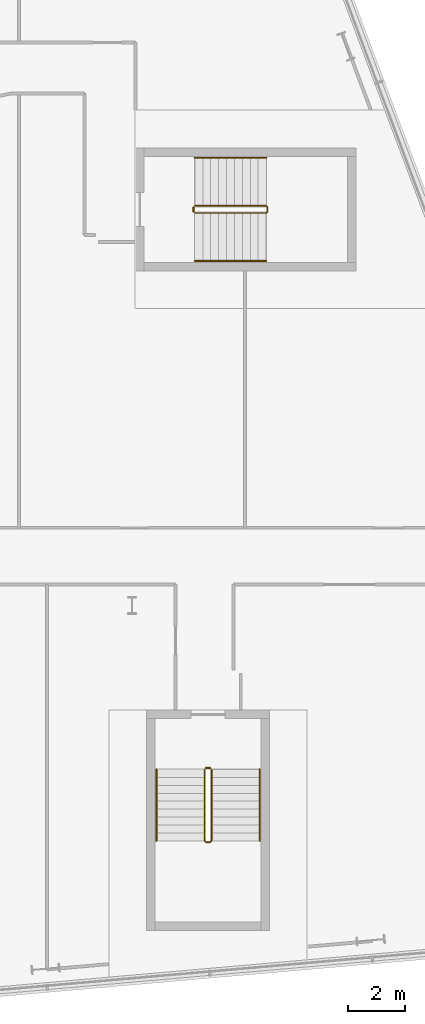
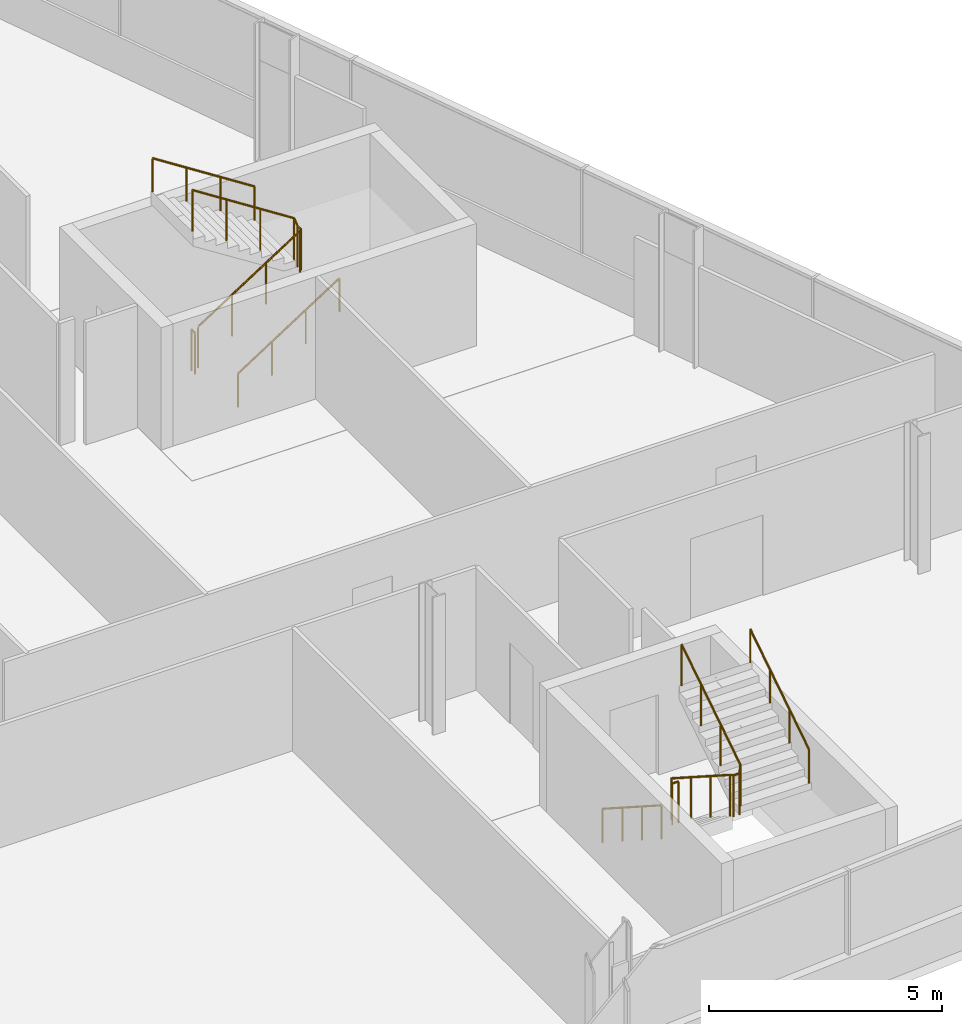
# One storey, part 24 of 24: 8 railings.
"""IFC4 building model written with IfcOpenShell, lengths in metres."""

from ifc_helpers import new_model, si_unit, direction, frame, origin, origin_2d, place, context, subcontext, project, spatial, circle, extrude, material, type_object, element, save


model = new_model("IFC4")

# Units and contexts
model_context = context("Model", 3, precision=1e-05, world=origin(), true_north=direction((0.0, 1.0)))
body_context = subcontext(model_context, "Body", "Model", "MODEL_VIEW")
ifc_project = project(units=[si_unit("LENGTHUNIT", "METRE"), si_unit("AREAUNIT", "SQUARE_METRE"), si_unit("VOLUMEUNIT", "CUBIC_METRE"), si_unit("PLANEANGLEUNIT", "RADIAN"), si_unit("MASSUNIT", "GRAM", prefix="KILO")], contexts=[model_context])

# Site, building, storey
site_placement = place(None, origin())
site = spatial("IfcSite", under=ifc_project, at=site_placement, CompositionType="ELEMENT")
building_placement = place(site_placement, origin())
building = spatial("IfcBuilding", under=site, at=building_placement, Name="Wharfspan Tower", CompositionType="ELEMENT")
storey_placement = place(building_placement, frame((0.0, 0.0, 41.5)))
storey = spatial("IfcBuildingStorey", under=building, at=storey_placement, Name="L06", CompositionType="ELEMENT", Elevation=41.5)

# Railings
ifc_material = material(Name="Steel S355J2", Category="steel")
railing_type_1 = type_object("IfcRailingType", Name="Stair guard 1100", PredefinedType="GUARDRAIL", material=ifc_material)
railing_1_placement = place(storey_placement, frame((74.567383, 5.691895, 0.179932)))
element("IfcRailing", 1, at=railing_1_placement, inside=storey, type_object=railing_type_1, Name="L06 ST5 stair guard 1", PredefinedType="GUARDRAIL", context=body_context, shape_type="SweptSolid", body=[
    extrude(circle(Radius=0.023926, at=origin_2d()), frame((0.0, 0.0, 1.076172), z_axis=(0.0, -0.841139, 0.540819), x_axis=(1.0, 0.0, 0.0)), (0.0, 0.0, 1.0), 2.995605),
    extrude(circle(Radius=0.023926, at=origin_2d()), frame((0.0, -2.519775, 2.696289), z_axis=(0.707107, -0.707107, 0.0), x_axis=(0.707107, 0.707107, 0.0)), (0.0, 0.0, 1.0), 0.070801),
    extrude(circle(Radius=0.023926, at=origin_2d()), frame((0.050049, -2.569824, 2.696289), z_axis=(1.0, 0.0, 0.0), x_axis=(0.0, 1.0, 0.0)), (0.0, 0.0, 1.0), 0.150146),
    extrude(circle(Radius=0.023926, at=origin_2d()), frame((0.200195, -2.569824, 2.696289), z_axis=(0.257669, 0.258932, 0.930892), x_axis=(-0.708833, 0.705372, 1e-06)), (0.0, 0.0, 1.0), 0.193359),
    extrude(circle(Radius=0.023926, at=origin_2d()), frame((0.25, -2.519775, 2.875977), z_axis=(0.0, 0.841139, 0.540819), x_axis=(-1.0, 0.0, 0.0)), (0.0, 0.0, 1.0), 2.995605),
    extrude(circle(Radius=0.020996, at=origin_2d()), origin(), (0.0, 0.0, 1.0), 1.052002),
    extrude(circle(Radius=0.020996, at=origin_2d()), frame((0.0, -0.839844, 0.540039)), (0.0, 0.0, 1.0), 1.052002),
    extrude(circle(Radius=0.020996, at=origin_2d()), frame((0.0, -1.679932, 1.080078)), (0.0, 0.0, 1.0), 1.052002),
    extrude(circle(Radius=0.020996, at=origin_2d()), frame((0.0, -2.519775, 1.620117)), (0.0, 0.0, 1.0), 1.052002),
    extrude(circle(Radius=0.020996, at=origin_2d()), frame((0.050049, -2.569824, 1.620117)), (0.0, 0.0, 1.0), 1.052002),
    extrude(circle(Radius=0.020996, at=origin_2d()), frame((0.200195, -2.569824, 1.620117)), (0.0, 0.0, 1.0), 1.052002),
    extrude(circle(Radius=0.020996, at=origin_2d()), frame((0.25, -2.519775, 1.800049)), (0.0, 0.0, 1.0), 1.052002),
    extrude(circle(Radius=0.020996, at=origin_2d()), frame((0.25, -1.679932, 2.340088)), (0.0, 0.0, 1.0), 1.052002),
    extrude(circle(Radius=0.020996, at=origin_2d()), frame((0.25, -0.839844, 2.880127)), (0.0, 0.0, 1.0), 1.052002),
    extrude(circle(Radius=0.020996, at=origin_2d()), frame((0.25, 0.0, 3.420166)), (0.0, 0.0, 1.0), 1.052002),
])
railing_2_placement = place(storey_placement, frame((74.617432, 5.741943, 0.0)))
element("IfcRailing", 2, at=railing_2_placement, inside=storey, type_object=railing_type_1, Name="L06 ST5 stair guard 2", PredefinedType="GUARDRAIL", context=body_context, shape_type="SweptSolid", body=[
    extrude(circle(Radius=0.023926, at=origin_2d()), frame((0.0, 0.0, 1.076172), z_axis=(1.0, 0.0, 0.0), x_axis=(0.0, 1.0, 0.0)), (0.0, 0.0, 1.0), 0.150146),
    extrude(circle(Radius=0.020996, at=origin_2d()), origin(), (0.0, 0.0, 1.0), 1.052002),
    extrude(circle(Radius=0.020996, at=origin_2d()), frame((0.150146, 0.0, 0.0)), (0.0, 0.0, 1.0), 1.052002),
])
railing_3_placement = place(storey_placement, frame((74.225098, 25.375, 0.179932)))
element("IfcRailing", 3, at=railing_3_placement, inside=storey, type_object=railing_type_1, Name="L06 ST6 stair guard 1", PredefinedType="GUARDRAIL", context=body_context, shape_type="SweptSolid", body=[
    extrude(circle(Radius=0.023926, at=origin_2d()), frame((0.0, 0.0, 1.076172), z_axis=(0.841163, 0.0, 0.540782), x_axis=(0.0, 1.0, 0.0)), (0.0, 0.0, 1.0), 2.99585),
    extrude(circle(Radius=0.023926, at=origin_2d()), frame((2.52002, 0.0, 2.696289), z_axis=(0.705376, 0.708834, 0.0), x_axis=(-0.708834, 0.705376, 0.0)), (0.0, 0.0, 1.0), 0.070557),
    extrude(circle(Radius=0.023926, at=origin_2d()), frame((2.569824, 0.050049, 2.696289), z_axis=(0.0, 1.0, 0.0), x_axis=(-1.0, 0.0, 0.0)), (0.0, 0.0, 1.0), 0.149902),
    extrude(circle(Radius=0.023926, at=origin_2d()), frame((2.569824, 0.199951, 2.696289), z_axis=(-0.257669, 0.258932, 0.930892), x_axis=(-0.708833, -0.705372, -1e-06)), (0.0, 0.0, 1.0), 0.193359),
    extrude(circle(Radius=0.023926, at=origin_2d()), frame((2.52002, 0.25, 2.875977), z_axis=(-0.841163, 0.0, 0.540782), x_axis=(0.0, -1.0, 0.0)), (0.0, 0.0, 1.0), 2.99585),
    extrude(circle(Radius=0.020996, at=origin_2d()), origin(), (0.0, 0.0, 1.0), 1.052002),
    extrude(circle(Radius=0.020996, at=origin_2d()), frame((0.840088, 0.0, 0.540039)), (0.0, 0.0, 1.0), 1.052002),
    extrude(circle(Radius=0.020996, at=origin_2d()), frame((1.679932, 0.0, 1.080078)), (0.0, 0.0, 1.0), 1.052002),
    extrude(circle(Radius=0.020996, at=origin_2d()), frame((2.52002, 0.0, 1.620117)), (0.0, 0.0, 1.0), 1.052002),
    extrude(circle(Radius=0.020996, at=origin_2d()), frame((2.569824, 0.050049, 1.620117)), (0.0, 0.0, 1.0), 1.052002),
    extrude(circle(Radius=0.020996, at=origin_2d()), frame((2.569824, 0.199951, 1.620117)), (0.0, 0.0, 1.0), 1.052002),
    extrude(circle(Radius=0.020996, at=origin_2d()), frame((2.52002, 0.25, 1.800049)), (0.0, 0.0, 1.0), 1.052002),
    extrude(circle(Radius=0.020996, at=origin_2d()), frame((1.679932, 0.25, 2.340088)), (0.0, 0.0, 1.0), 1.052002),
    extrude(circle(Radius=0.020996, at=origin_2d()), frame((0.840088, 0.25, 2.880127)), (0.0, 0.0, 1.0), 1.052002),
    extrude(circle(Radius=0.020996, at=origin_2d()), frame((0.0, 0.25, 3.420166)), (0.0, 0.0, 1.0), 1.052002),
])
railing_4_placement = place(storey_placement, frame((74.175049, 25.425049, 0.0)))
element("IfcRailing", 4, at=railing_4_placement, inside=storey, type_object=railing_type_1, Name="L06 ST6 stair guard 2", PredefinedType="GUARDRAIL", context=body_context, shape_type="SweptSolid", body=[
    extrude(circle(Radius=0.023926, at=origin_2d()), frame((0.0, 0.0, 1.076172), z_axis=(0.0, 1.0, 0.0), x_axis=(-1.0, 0.0, 0.0)), (0.0, 0.0, 1.0), 0.149902),
    extrude(circle(Radius=0.020996, at=origin_2d()), origin(), (0.0, 0.0, 1.0), 1.052002),
    extrude(circle(Radius=0.020996, at=origin_2d()), frame((0.0, 0.149902, 0.0)), (0.0, 0.0, 1.0), 1.052002),
])
railing_type_2 = type_object("IfcRailingType", Name="Stair handrail 900", PredefinedType="HANDRAIL", material=ifc_material)
railing_5_placement = place(storey_placement, frame((72.867432, 5.691895, 0.179932)))
element("IfcRailing", 5, at=railing_5_placement, inside=storey, type_object=railing_type_2, Name="L06 ST5 stair handrail 1", PredefinedType="HANDRAIL", context=body_context, shape_type="SweptSolid", body=[
    extrude(circle(Radius=0.023926, at=origin_2d()), frame((0.0, 0.0, 0.875977), z_axis=(0.0, -0.841139, 0.540819), x_axis=(1.0, 0.0, 0.0)), (0.0, 0.0, 1.0), 2.995605),
    extrude(circle(Radius=0.020996, at=origin_2d()), origin(), (0.0, 0.0, 1.0), 0.851807),
    extrude(circle(Radius=0.020996, at=origin_2d()), frame((0.0, -0.839844, 0.540039)), (0.0, 0.0, 1.0), 0.851807),
    extrude(circle(Radius=0.020996, at=origin_2d()), frame((0.0, -1.679932, 1.080078)), (0.0, 0.0, 1.0), 0.851807),
    extrude(circle(Radius=0.020996, at=origin_2d()), frame((0.0, -2.519775, 1.620117)), (0.0, 0.0, 1.0), 0.851807),
])
railing_6_placement = place(storey_placement, frame((76.517578, 3.172119, 1.97998)))
element("IfcRailing", 6, at=railing_6_placement, inside=storey, type_object=railing_type_2, Name="L06 ST5 stair handrail 2", PredefinedType="HANDRAIL", context=body_context, shape_type="SweptSolid", body=[
    extrude(circle(Radius=0.023926, at=origin_2d()), frame((0.0, 0.0, 0.875977), z_axis=(0.0, 0.841139, 0.540819), x_axis=(-1.0, 0.0, 0.0)), (0.0, 0.0, 1.0), 2.995605),
    extrude(circle(Radius=0.020996, at=origin_2d()), origin(), (0.0, 0.0, 1.0), 0.851807),
    extrude(circle(Radius=0.020996, at=origin_2d()), frame((0.0, 0.839844, 0.540039)), (0.0, 0.0, 1.0), 0.851807),
    extrude(circle(Radius=0.020996, at=origin_2d()), frame((0.0, 1.679932, 1.080078)), (0.0, 0.0, 1.0), 0.851807),
    extrude(circle(Radius=0.020996, at=origin_2d()), frame((0.0, 2.519775, 1.620117)), (0.0, 0.0, 1.0), 0.851807),
])
railing_7_placement = place(storey_placement, frame((74.225098, 23.675049, 0.179932)))
element("IfcRailing", 7, at=railing_7_placement, inside=storey, type_object=railing_type_2, Name="L06 ST6 stair handrail 1", PredefinedType="HANDRAIL", context=body_context, shape_type="SweptSolid", body=[
    extrude(circle(Radius=0.023926, at=origin_2d()), frame((0.0, 0.0, 0.875977), z_axis=(0.841163, 0.0, 0.540782), x_axis=(0.0, 1.0, 0.0)), (0.0, 0.0, 1.0), 2.99585),
    extrude(circle(Radius=0.020996, at=origin_2d()), origin(), (0.0, 0.0, 1.0), 0.851807),
    extrude(circle(Radius=0.020996, at=origin_2d()), frame((0.840088, 0.0, 0.540039)), (0.0, 0.0, 1.0), 0.851807),
    extrude(circle(Radius=0.020996, at=origin_2d()), frame((1.679932, 0.0, 1.080078)), (0.0, 0.0, 1.0), 0.851807),
    extrude(circle(Radius=0.020996, at=origin_2d()), frame((2.52002, 0.0, 1.620117)), (0.0, 0.0, 1.0), 0.851807),
])
railing_8_placement = place(storey_placement, frame((76.745117, 27.324951, 1.97998)))
element("IfcRailing", 8, at=railing_8_placement, inside=storey, type_object=railing_type_2, Name="L06 ST6 stair handrail 2", PredefinedType="HANDRAIL", context=body_context, shape_type="SweptSolid", body=[
    extrude(circle(Radius=0.023926, at=origin_2d()), frame((0.0, 0.0, 0.875977), z_axis=(-0.841163, 0.0, 0.540782), x_axis=(0.0, -1.0, 0.0)), (0.0, 0.0, 1.0), 2.99585),
    extrude(circle(Radius=0.020996, at=origin_2d()), origin(), (0.0, 0.0, 1.0), 0.851807),
    extrude(circle(Radius=0.020996, at=origin_2d()), frame((-0.840088, 0.0, 0.540039)), (0.0, 0.0, 1.0), 0.851807),
    extrude(circle(Radius=0.020996, at=origin_2d()), frame((-1.679932, 0.0, 1.080078)), (0.0, 0.0, 1.0), 0.851807),
    extrude(circle(Radius=0.020996, at=origin_2d()), frame((-2.52002, 0.0, 1.620117)), (0.0, 0.0, 1.0), 0.851807),
])

save(model, "model.ifc")
